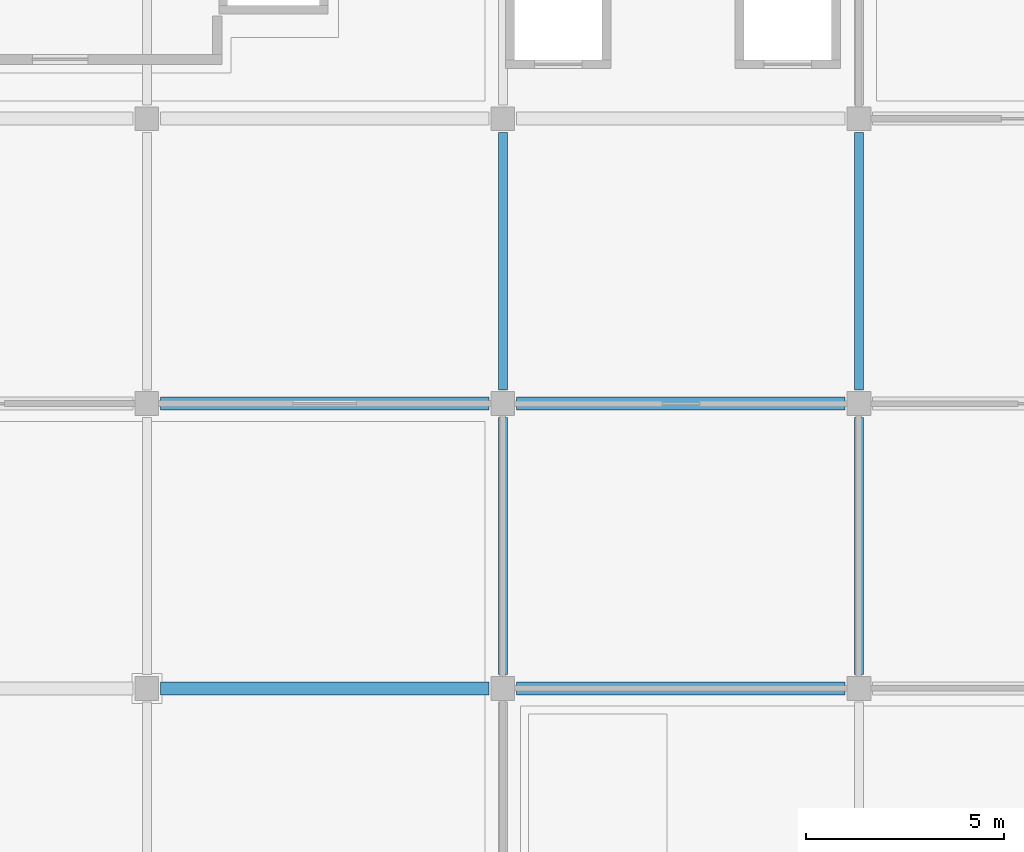
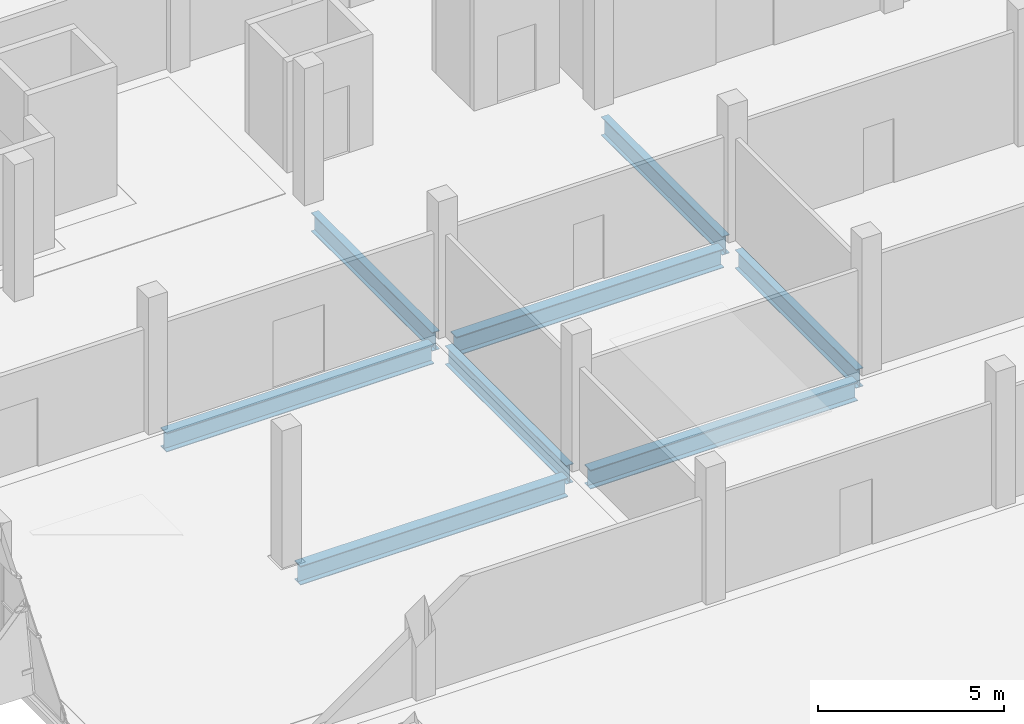
# One storey, part 62 of 124: 8 beams.
"""IFC4 building model written with IfcOpenShell, lengths in metres."""

from ifc_helpers import new_model, si_unit, direction, frame, origin, origin_2d, place, context, subcontext, project, spatial, i_section, extrude, material, material_profile, profile_set, type_object, element, save


model = new_model("IFC4")

# Units and contexts
model_context = context("Model", 3, precision=1e-05, world=origin(), true_north=direction((0.0, 1.0)))
body_context = subcontext(model_context, "Body", "Model", "MODEL_VIEW")
ifc_project = project(units=[si_unit("LENGTHUNIT", "METRE"), si_unit("AREAUNIT", "SQUARE_METRE"), si_unit("VOLUMEUNIT", "CUBIC_METRE"), si_unit("PLANEANGLEUNIT", "RADIAN"), si_unit("MASSUNIT", "GRAM", prefix="KILO")], contexts=[model_context])

# Site, building, storey
site_placement = place(None, origin())
site = spatial("IfcSite", under=ifc_project, at=site_placement, CompositionType="ELEMENT")
building_placement = place(site_placement, origin())
building = spatial("IfcBuilding", under=site, at=building_placement, Name="Celestram Park Convention Centre", CompositionType="ELEMENT")
storey_placement = place(building_placement, frame((0.0, 0.0, 15.300048828125)))
storey = spatial("IfcBuildingStorey", under=building, at=storey_placement, Name="L03", CompositionType="ELEMENT", Elevation=15.300048828125)

# Beams
ifc_material = material(Name="Steel ASTM A992 Grade 50", Category="steel")
ifc_material_profile_1 = material_profile(ifc_material, i_section(OverallWidth=0.327880859375, OverallDepth=0.6220703125, WebThickness=0.015380859375, FlangeThickness=0.0244140625, at=origin_2d()), Name="W24X131")
ifc_profile_set_1 = profile_set([ifc_material_profile_1], Name="Steel ASTM A992 Grade 50")
beam_type_1 = type_object("IfcBeamType", Name="STR-BM-W24X131", PredefinedType="BEAM", material=ifc_profile_set_1)
for number, where, z_axis, x_axis, name in (
    (1, (45.347900390625, 129.60009765625, -0.56103515625), (1.0, 0.0, 0.0), (0.0, 1.0, 0.0), "Primary X-girder BG-L03-0020"),
    (2, (45.347900390625, 136.800048828125, -0.56103515625), (1.0, 0.0, 0.0), (0.0, 1.0, 0.0), "Primary X-girder BG-L03-0022"),
    (3, (54.347900390625, 129.60009765625, -0.56103515625), (1.0, 0.0, 0.0), (0.0, 1.0, 0.0), "Primary X-girder BG-L03-0034"),
    (4, (54.347900390625, 136.800048828125, -0.56103515625), (1.0, 0.0, 0.0), (0.0, 1.0, 0.0), "Primary X-girder BG-L03-0036"),
):
    element("IfcBeam", number, at=place(storey_placement, frame(where, z_axis=z_axis, x_axis=x_axis)), inside=storey, type_object=beam_type_1, Name=name, PredefinedType="BEAM", context=body_context, shape_type="SweptSolid", body=[
        extrude(i_section(OverallWidth=0.327880859375, OverallDepth=0.6220703125, WebThickness=0.015380859375, FlangeThickness=0.0244140625, at=origin_2d()), origin(), (0.0, 0.0, 1.0), 8.30419921875),
    ])
ifc_material_profile_2 = material_profile(ifc_material, i_section(OverallWidth=0.22900390625, OverallDepth=0.612060546875, WebThickness=0.011962890625, FlangeThickness=0.01953125, at=origin_2d()), Name="W24X84")
ifc_profile_set_2 = profile_set([ifc_material_profile_2], Name="Steel ASTM A992 Grade 50")
beam_type_2 = type_object("IfcBeamType", Name="STR-BM-W24X84", PredefinedType="BEAM", material=ifc_profile_set_2)
beam_1_placement = place(storey_placement, frame((54.0, 129.947998046875, -0.55615234375), z_axis=(0.0, 1.0, 0.0), x_axis=(-1.0, 0.0, 0.0)))
element("IfcBeam", 5, at=beam_1_placement, inside=storey, type_object=beam_type_2, Name="Primary Y-girder BG-L03-0035", PredefinedType="BEAM", context=body_context, shape_type="SweptSolid", body=[
    extrude(i_section(OverallWidth=0.22900390625, OverallDepth=0.612060546875, WebThickness=0.011962890625, FlangeThickness=0.01953125, at=origin_2d()), origin(), (0.0, 0.0, 1.0), 6.50390625),
])
beam_2_placement = place(storey_placement, frame((54.0, 137.14794921875, -0.55615234375), z_axis=(0.0, 1.0, 0.0), x_axis=(-1.0, 0.0, 0.0)))
element("IfcBeam", 6, at=beam_2_placement, inside=storey, type_object=beam_type_2, Name="Primary Y-girder BG-L03-0037", PredefinedType="BEAM", context=body_context, shape_type="SweptSolid", body=[
    extrude(i_section(OverallWidth=0.22900390625, OverallDepth=0.612060546875, WebThickness=0.011962890625, FlangeThickness=0.01953125, at=origin_2d()), origin(), (0.0, 0.0, 1.0), 6.504150390625),
])
beam_3_placement = place(storey_placement, frame((63.0, 129.947998046875, -0.55615234375), z_axis=(0.0, 1.0, 0.0), x_axis=(-1.0, 0.0, 0.0)))
element("IfcBeam", 7, at=beam_3_placement, inside=storey, type_object=beam_type_2, Name="Primary Y-girder BG-L03-0049", PredefinedType="BEAM", context=body_context, shape_type="SweptSolid", body=[
    extrude(i_section(OverallWidth=0.22900390625, OverallDepth=0.612060546875, WebThickness=0.011962890625, FlangeThickness=0.01953125, at=origin_2d()), origin(), (0.0, 0.0, 1.0), 6.50390625),
])
beam_4_placement = place(storey_placement, frame((63.0, 137.14794921875, -0.55615234375), z_axis=(0.0, 1.0, 0.0), x_axis=(-1.0, 0.0, 0.0)))
element("IfcBeam", 8, at=beam_4_placement, inside=storey, type_object=beam_type_2, Name="Primary Y-girder BG-L03-0051", PredefinedType="BEAM", context=body_context, shape_type="SweptSolid", body=[
    extrude(i_section(OverallWidth=0.22900390625, OverallDepth=0.612060546875, WebThickness=0.011962890625, FlangeThickness=0.01953125, at=origin_2d()), origin(), (0.0, 0.0, 1.0), 6.504150390625),
])

save(model, "model.ifc")
